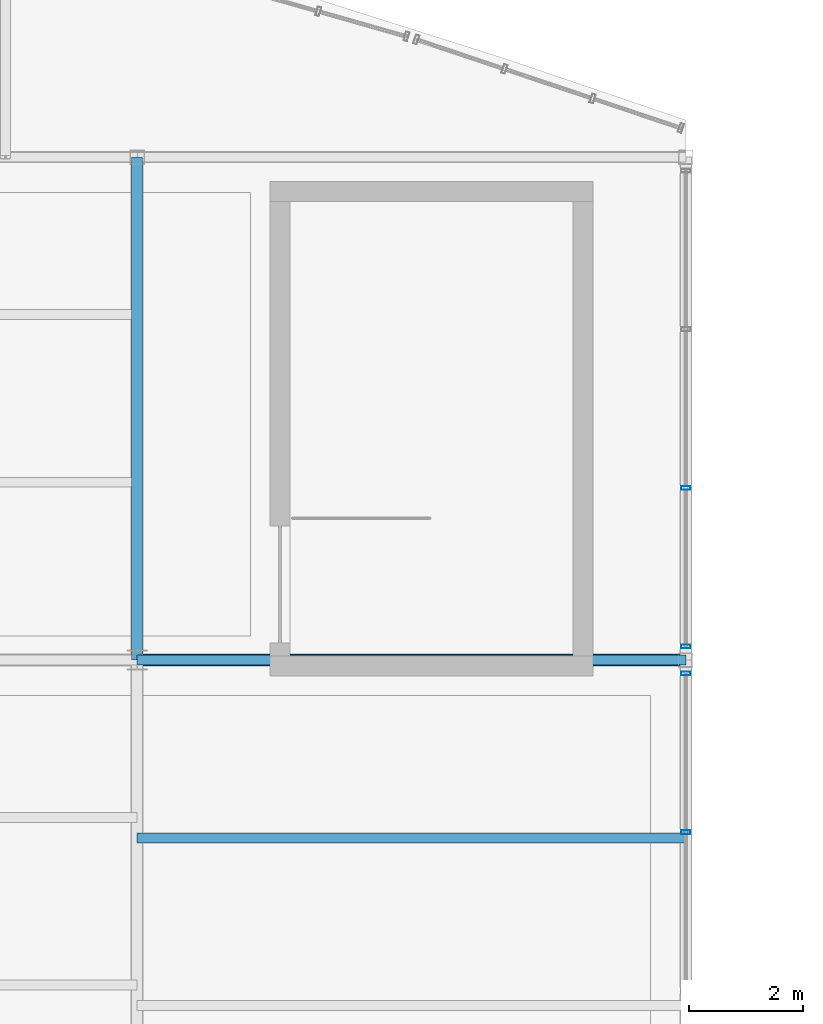
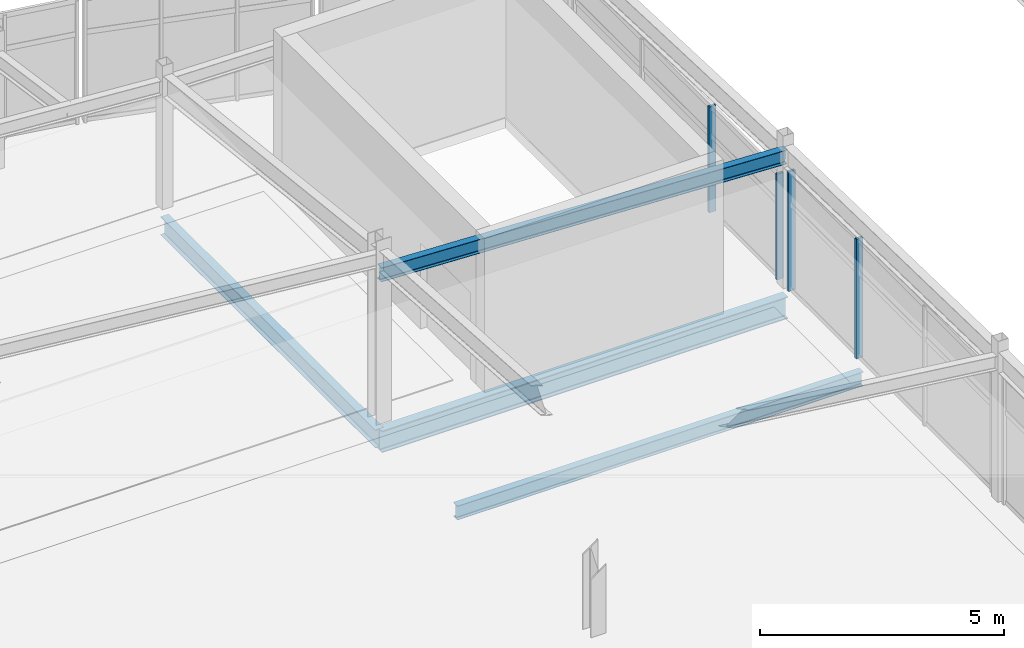
# One storey, part 34 of 114: 5 members, 3 beams, 2 elements without a shape of their own.
"""IFC4 building model written with IfcOpenShell, lengths in metres."""

from ifc_helpers import new_model, si_unit, direction, frame, origin, origin_2d, place, context, subcontext, project, spatial, hollow_rectangle, i_section, extrude, material, layer, layer_set, material_profile, profile_set, type_object, element, aggregate, save


model = new_model("IFC4")

# Units and contexts
model_context = context("Model", 3, precision=1e-05, world=origin(), true_north=direction((0.0, 1.0)))
body_context = subcontext(model_context, "Body", "Model", "MODEL_VIEW")
ifc_project = project(units=[si_unit("LENGTHUNIT", "METRE"), si_unit("AREAUNIT", "SQUARE_METRE"), si_unit("VOLUMEUNIT", "CUBIC_METRE"), si_unit("PLANEANGLEUNIT", "RADIAN"), si_unit("MASSUNIT", "GRAM", prefix="KILO")], contexts=[model_context])

# Site, building, storey
site_placement = place(None, origin())
site = spatial("IfcSite", under=ifc_project, at=site_placement, CompositionType="ELEMENT")
building_placement = place(site_placement, origin())
building = spatial("IfcBuilding", under=site, at=building_placement, Name="Chalmorin Arch Market", CompositionType="ELEMENT")
storey_placement = place(building_placement, frame((0.0, 0.0, 9.60009765625)))
storey = spatial("IfcBuildingStorey", under=building, at=storey_placement, Name="L02", CompositionType="ELEMENT", Elevation=9.60009765625)

# Curtain wall, members
ifc_material_1 = material(Name="Aluminium 6063-T6", Category="aluminium")
ifc_layer_1 = layer(ifc_material_1, 0.159912109375)
ifc_layer_set_1 = layer_set([ifc_layer_1], Name="Aluminium 6063-T6")
curtain_wall_type_1 = type_object("IfcCurtainWallType", Name="RiverfrontStorefrontCurtainWall-CW2-8330x2990", PredefinedType="NOTDEFINED", material=ifc_layer_set_1)
curtain_wall_1_placement = place(storey_placement, origin())
curtain_wall_1 = element("IfcCurtainWall", 1, at=curtain_wall_1_placement, inside=storey, type_object=curtain_wall_type_1, Name="CW-02-104", PredefinedType="NOTDEFINED")
ifc_material_profile_1 = material_profile(ifc_material_1, hollow_rectangle(XDim=0.06494140625, YDim=0.159912109375, WallThickness=0.00390625, at=origin_2d()), Name="ALU65X160X4")
ifc_profile_set_1 = profile_set([ifc_material_profile_1], Name="Aluminium 6063-T6")
member_type_1 = type_object("IfcMemberType", Name="CurtainWallMullion-65x160", PredefinedType="MULLION", material=ifc_profile_set_1)
member_1_placement = place(storey_placement, frame((38.39990234375, 38.187744140625, 0.0), z_axis=(0.0, 0.0, 1.0), x_axis=(0.0, 1.0, 0.0)))
member_1 = element("IfcMember", 2, at=member_1_placement, type_object=member_type_1, Name="ML-104-03", PredefinedType="MULLION", context=body_context, shape_type="SweptSolid", body=[
    extrude(hollow_rectangle(XDim=0.06494140625, YDim=0.159912109375, WallThickness=0.00390625, at=origin_2d()), origin(), (0.0, 0.0, 1.0), 2.993408203125),
])
member_2_placement = place(storey_placement, frame((38.39990234375, 40.962890625, 0.0), z_axis=(0.0, 0.0, 1.0), x_axis=(0.0, 1.0, 0.0)))
member_2 = element("IfcMember", 3, at=member_2_placement, type_object=member_type_1, Name="ML-104-04", PredefinedType="MULLION", context=body_context, shape_type="SweptSolid", body=[
    extrude(hollow_rectangle(XDim=0.06494140625, YDim=0.159912109375, WallThickness=0.00390625, at=origin_2d()), origin(), (0.0, 0.0, 1.0), 2.993408203125),
])
aggregate(curtain_wall_1, [member_1, member_2])

ifc_layer_2 = layer(ifc_material_1, 0.159912109375)
ifc_layer_set_2 = layer_set([ifc_layer_2], Name="Aluminium 6063-T6")
curtain_wall_type_2 = type_object("IfcCurtainWallType", Name="RiverfrontStorefrontCurtainWall-CW2-8330x2650", PredefinedType="NOTDEFINED", material=ifc_layer_set_2)
curtain_wall_2_placement = place(storey_placement, origin())
curtain_wall_2 = element("IfcCurtainWall", 4, at=curtain_wall_2_placement, inside=storey, type_object=curtain_wall_type_2, Name="CW-02-106", PredefinedType="NOTDEFINED")
member_3_placement = place(storey_placement, frame((38.39990234375, 41.43701171875, 0.0), z_axis=(0.0, 0.0, 1.0), x_axis=(0.0, 1.0, 0.0)))
member_3 = element("IfcMember", 5, at=member_3_placement, type_object=member_type_1, Name="ML-106-01", PredefinedType="MULLION", context=body_context, shape_type="SweptSolid", body=[
    extrude(hollow_rectangle(XDim=0.06494140625, YDim=0.159912109375, WallThickness=0.00390625, at=origin_2d()), origin(), (0.0, 0.0, 1.0), 2.6455078125),
])
member_4_placement = place(storey_placement, frame((38.39990234375, 44.21240234375, 0.0), z_axis=(0.0, 0.0, 1.0), x_axis=(0.0, 1.0, 0.0)))
member_4 = element("IfcMember", 6, at=member_4_placement, type_object=member_type_1, Name="ML-106-02", PredefinedType="MULLION", context=body_context, shape_type="SweptSolid", body=[
    extrude(hollow_rectangle(XDim=0.06494140625, YDim=0.159912109375, WallThickness=0.00390625, at=origin_2d()), origin(), (0.0, 0.0, 1.0), 2.6455078125),
])
aggregate(curtain_wall_2, [member_3, member_4])

# Beams
ifc_material_2 = material(Name="Steel A992 Grade 50", Category="steel")
ifc_material_profile_2 = material_profile(ifc_material_2, i_section(OverallWidth=0.19091796875, OverallDepth=0.45703125, WebThickness=0.009033203125, FlangeThickness=0.014404296875, FilletRadius=0.02001953125, at=origin_2d()), Name="W18X50")
ifc_profile_set_2 = profile_set([ifc_material_profile_2], Name="Steel A992 Grade 50")
beam_type_1 = type_object("IfcBeamType", Name="FloorSteelBeam-W18X50", PredefinedType="BEAM", material=ifc_profile_set_2)
beam_1_placement = place(storey_placement, frame((28.800048828125, 41.199951171875, -0.480712890625), z_axis=(0.0, 1.0, 0.0), x_axis=(-1.0, 0.0, 0.0)))
element("IfcBeam", 7, at=beam_1_placement, inside=storey, type_object=beam_type_1, Name="BM-W18B-1171", PredefinedType="BEAM", context=body_context, shape_type="SweptSolid", body=[
    extrude(i_section(OverallWidth=0.19091796875, OverallDepth=0.45703125, WebThickness=0.009033203125, FlangeThickness=0.014404296875, FilletRadius=0.02001953125, at=origin_2d()), origin(), (0.0, 0.0, 1.0), 8.800048828125),
])
ifc_material_profile_3 = material_profile(ifc_material_2, i_section(OverallWidth=0.2119140625, OverallDepth=0.5439453125, WebThickness=0.01318359375, FlangeThickness=0.021240234375, FilletRadius=0.02197265625, at=origin_2d()), Name="W21X83")
ifc_profile_set_3 = profile_set([ifc_material_profile_3], Name="Steel A992 Grade 50")
beam_type_2 = type_object("IfcBeamType", Name="PrimarySteelGirder-W21X83", PredefinedType="BEAM", material=ifc_profile_set_3)
beam_2_placement = place(storey_placement, frame((28.800048828125, 41.199951171875, -0.524169921875), z_axis=(1.0, 0.0, 0.0), x_axis=(0.0, 1.0, 0.0)))
element("IfcBeam", 8, at=beam_2_placement, inside=storey, type_object=beam_type_2, Name="BG-W21A-1179", PredefinedType="BEAM", context=body_context, shape_type="SweptSolid", body=[
    extrude(i_section(OverallWidth=0.2119140625, OverallDepth=0.5439453125, WebThickness=0.01318359375, FlangeThickness=0.021240234375, FilletRadius=0.02197265625, at=origin_2d()), origin(), (0.0, 0.0, 1.0), 9.599853515625),
])

# Member
ifc_material_profile_4 = material_profile(ifc_material_2, i_section(OverallWidth=0.1708984375, OverallDepth=0.35107421875, WebThickness=0.0068359375, FlangeThickness=0.009765625, FilletRadius=0.014892578125, at=origin_2d()), Name="W14X30")
ifc_profile_set_4 = profile_set([ifc_material_profile_4], Name="Steel A992 Grade 50")
member_type_2 = type_object("IfcMemberType", Name="RoofSteelPurlin-W14X30", PredefinedType="PURLIN", material=ifc_profile_set_4)
member_5_placement = place(storey_placement, frame((28.800048828125, 41.199951171875, 3.639892578125), z_axis=(0.999111138029, 0.0, -0.042153693395), x_axis=(0.0, 1.0, 0.0)))
element("IfcMember", 9, at=member_5_placement, inside=storey, type_object=member_type_2, Name="PR-W14-0031", PredefinedType="PURLIN", context=body_context, shape_type="SweptSolid", body=[
    extrude(i_section(OverallWidth=0.1708984375, OverallDepth=0.35107421875, WebThickness=0.0068359375, FlangeThickness=0.009765625, FilletRadius=0.014892578125, at=origin_2d()), origin(), (0.0, 0.0, 1.0), 9.6083984375),
])

# Beam
ifc_material_profile_5 = material_profile(ifc_material_2, i_section(OverallWidth=0.1708984375, OverallDepth=0.35107421875, WebThickness=0.0068359375, FlangeThickness=0.009765625, FilletRadius=0.014892578125, at=origin_2d()), Name="W14X30")
ifc_profile_set_5 = profile_set([ifc_material_profile_5], Name="Steel A992 Grade 50")
beam_type_3 = type_object("IfcBeamType", Name="SecondaryFloorJoist-W14X30", PredefinedType="JOIST", material=ifc_profile_set_5)
beam_3_placement = place(storey_placement, frame((28.800048828125, 38.086669921875, -0.427490234375), z_axis=(1.0, 0.0, 0.0), x_axis=(0.0, 1.0, 0.0)))
element("IfcBeam", 10, at=beam_3_placement, inside=storey, type_object=beam_type_3, Name="BJ-W14-1218", PredefinedType="JOIST", context=body_context, shape_type="SweptSolid", body=[
    extrude(i_section(OverallWidth=0.1708984375, OverallDepth=0.35107421875, WebThickness=0.0068359375, FlangeThickness=0.009765625, FilletRadius=0.014892578125, at=origin_2d()), origin(), (0.0, 0.0, 1.0), 9.599853515625),
])

save(model, "model.ifc")
